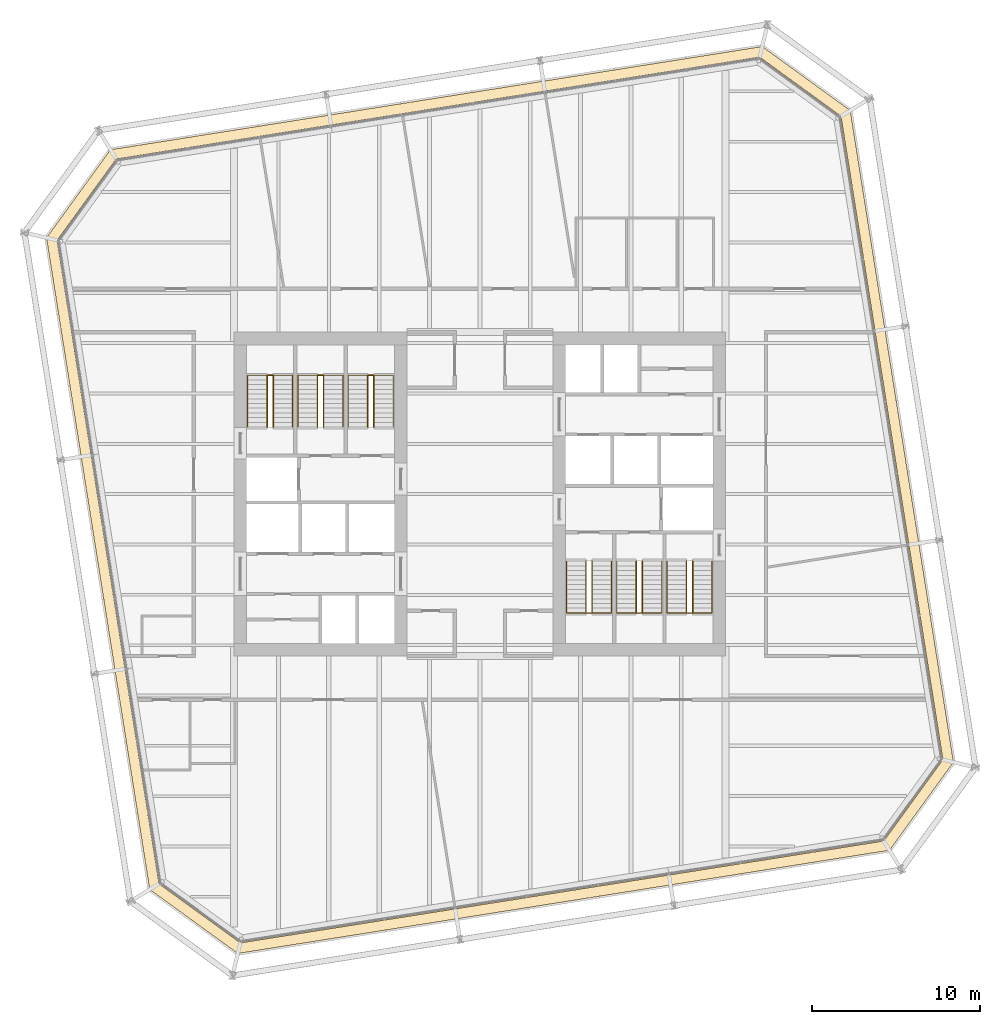
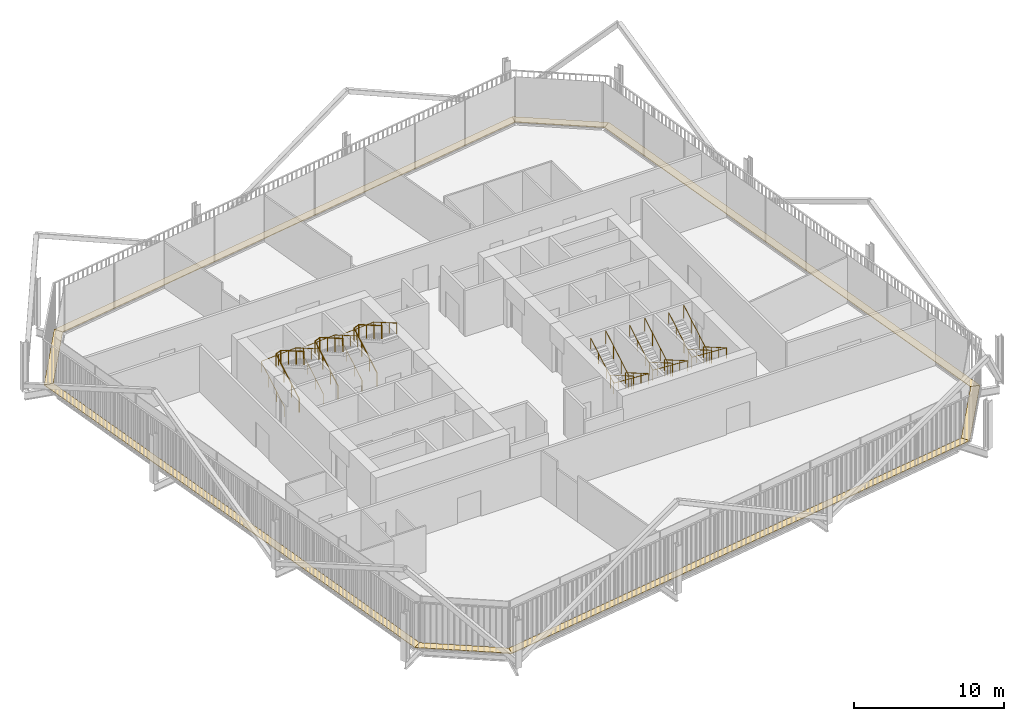
# One storey, part 22 of 22: 12 railings, 8 coverings.
"""IFC4 building model written with IfcOpenShell, lengths in metres."""

from ifc_helpers import new_model, si_unit, direction, frame, origin, origin_2d, place, context, subcontext, project, spatial, polyline, circle, outline, extrude, material, layer, layer_set, type_object, element, save


model = new_model("IFC4")

# Units and contexts
model_context = context("Model", 3, precision=1e-05, world=origin(), true_north=direction((0.0, 1.0)))
body_context = subcontext(model_context, "Body", "Model", "MODEL_VIEW")
ifc_project = project(units=[si_unit("LENGTHUNIT", "METRE"), si_unit("AREAUNIT", "SQUARE_METRE"), si_unit("VOLUMEUNIT", "CUBIC_METRE"), si_unit("PLANEANGLEUNIT", "RADIAN"), si_unit("MASSUNIT", "GRAM", prefix="KILO")], contexts=[model_context])

# Site, building, storey
site_placement = place(None, origin())
site = spatial("IfcSite", under=ifc_project, at=site_placement, CompositionType="ELEMENT")
building_placement = place(site_placement, origin())
building = spatial("IfcBuilding", under=site, at=building_placement, Name="Millrace Tower", CompositionType="ELEMENT")
storey_placement = place(building_placement, frame((0.0, 0.0, 152.89990234375)))
storey = spatial("IfcBuildingStorey", under=building, at=storey_placement, Name="L34", CompositionType="ELEMENT", Elevation=152.89990234375)

# Coverings
ifc_material_1 = material(Name="Steel ASTM A36", Category="steel")
ifc_layer = layer(ifc_material_1, 0.050048828125)
ifc_layer_set = layer_set([ifc_layer], Name="Steel ASTM A36")
covering_type = type_object("IfcCoveringType", Name="CAVITY CATWALK steel grating", PredefinedType="FLOORING", material=ifc_layer_set)
placement = place(storey_placement, frame((0.0, 0.0, 0.10009765625)))
element("IfcCovering", 1, at=placement, inside=storey, type_object=covering_type, Name="Cavity catwalk grating C-F01 L34 1", PredefinedType="FLOORING", context=body_context, shape_type="SweptSolid", body=[
    extrude(outline(polyline([(-19.67578125, -23.562255859375), (-14.425048828125, -27.376953125), (-14.2734375, -26.74560546875), (-19.1220703125, -23.222900390625), (-19.67578125, -23.562255859375)])), origin(), (0.0, 0.0, 1.0), 0.050048828125),
])
element("IfcCovering", 2, at=placement, inside=storey, type_object=covering_type, Name="Cavity catwalk grating C-F02 L34 1", PredefinedType="FLOORING", context=body_context, shape_type="SweptSolid", body=[
    extrude(outline(polyline([(-14.425048828125, -27.376953125), (24.412109375, -21.225830078125), (24.07275390625, -20.672119140625), (-14.2734375, -26.74560546875), (-14.425048828125, -27.376953125)])), origin(), (0.0, 0.0, 1.0), 0.050048828125),
])
element("IfcCovering", 3, at=placement, inside=storey, type_object=covering_type, Name="Cavity catwalk grating C-F03 L34 1", PredefinedType="FLOORING", context=body_context, shape_type="SweptSolid", body=[
    extrude(outline(polyline([(24.412109375, -21.225830078125), (28.22705078125, -15.97509765625), (27.595458984375, -15.823486328125), (24.07275390625, -20.672119140625), (24.412109375, -21.225830078125)])), origin(), (0.0, 0.0, 1.0), 0.050048828125),
])
element("IfcCovering", 4, at=placement, inside=storey, type_object=covering_type, Name="Cavity catwalk grating C-F04 L34 1", PredefinedType="FLOORING", context=body_context, shape_type="SweptSolid", body=[
    extrude(outline(polyline([(28.22705078125, -15.97509765625), (22.075927734375, 22.862060546875), (21.522216796875, 22.522705078125), (27.595458984375, -15.823486328125), (28.22705078125, -15.97509765625)])), origin(), (0.0, 0.0, 1.0), 0.050048828125),
])
element("IfcCovering", 5, at=placement, inside=storey, type_object=covering_type, Name="Cavity catwalk grating C-F05 L34 1", PredefinedType="FLOORING", context=body_context, shape_type="SweptSolid", body=[
    extrude(outline(polyline([(22.075927734375, 22.862060546875), (16.824951171875, 26.677001953125), (16.67333984375, 26.045654296875), (21.522216796875, 22.522705078125), (22.075927734375, 22.862060546875)])), origin(), (0.0, 0.0, 1.0), 0.050048828125),
])
element("IfcCovering", 6, at=placement, inside=storey, type_object=covering_type, Name="Cavity catwalk grating C-F06 L34 1", PredefinedType="FLOORING", context=body_context, shape_type="SweptSolid", body=[
    extrude(outline(polyline([(16.824951171875, 26.677001953125), (-22.01220703125, 20.52587890625), (-21.6728515625, 19.97216796875), (16.67333984375, 26.045654296875), (16.824951171875, 26.677001953125)])), origin(), (0.0, 0.0, 1.0), 0.050048828125),
])
element("IfcCovering", 7, at=placement, inside=storey, type_object=covering_type, Name="Cavity catwalk grating C-F07 L34 1", PredefinedType="FLOORING", context=body_context, shape_type="SweptSolid", body=[
    extrude(outline(polyline([(-22.01220703125, 20.52587890625), (-25.8271484375, 15.275146484375), (-25.195556640625, 15.12353515625), (-21.6728515625, 19.97216796875), (-22.01220703125, 20.52587890625)])), origin(), (0.0, 0.0, 1.0), 0.050048828125),
])
element("IfcCovering", 8, at=placement, inside=storey, type_object=covering_type, Name="Cavity catwalk grating C-F08 L34 1", PredefinedType="FLOORING", context=body_context, shape_type="SweptSolid", body=[
    extrude(outline(polyline([(-25.8271484375, 15.275146484375), (-19.67578125, -23.562255859375), (-19.1220703125, -23.222900390625), (-25.195556640625, 15.12353515625), (-25.8271484375, 15.275146484375)])), origin(), (0.0, 0.0, 1.0), 0.050048828125),
])

# Railings
ifc_material_2 = material(Name="Stainless steel ASTM A240 type 316", Category="steel")
railing_type_1 = type_object("IfcRailingType", Name="Stair guard 1100", PredefinedType="GUARDRAIL", material=ifc_material_2)
for number, where, name in (
    (9, (-12.679931640625, 4.0, 0.16259765625), "Stair guard 1 W L34"),
    (10, (-9.679931640625, 4.0, 0.16259765625), "Stair guard 2 W L34"),
    (11, (-6.679931640625, 4.0, 0.16259765625), "Stair guard 3 W L34"),
):
    element("IfcRailing", number, at=place(storey_placement, frame(where)), inside=storey, type_object=railing_type_1, Name=name, PredefinedType="GUARDRAIL", context=body_context, shape_type="SweptSolid", body=[
        extrude(circle(Radius=0.02392578125, at=origin_2d()), frame((0.0, 0.0, 1.076171875), z_axis=(0.0, 0.864890721111, 0.501960198159), x_axis=(-1.0, 0.0, 0.0)), (0.0, 0.0, 1.0), 3.561279296875),
        extrude(circle(Radius=0.02392578125, at=origin_2d()), frame((0.0, 3.080078125, 2.86376953125), z_axis=(0.91152767309, 0.0, 0.411238739895), x_axis=(0.0, 1.0, 0.0)), (0.0, 0.0, 1.0), 0.394775390625),
        extrude(circle(Radius=0.02392578125, at=origin_2d()), frame((0.35986328125, 3.080078125, 3.02587890625), z_axis=(0.0, -0.864890721111, 0.501960198159), x_axis=(1.0, 0.0, 0.0)), (0.0, 0.0, 1.0), 3.561279296875),
        extrude(circle(Radius=0.02099609375, at=origin_2d()), origin(), (0.0, 0.0, 1.0), 1.052001953125),
        extrude(circle(Radius=0.02099609375, at=origin_2d()), frame((0.0, 1.026611328125, 0.595947265625)), (0.0, 0.0, 1.0), 1.052001953125),
        extrude(circle(Radius=0.02099609375, at=origin_2d()), frame((0.0, 2.053466796875, 1.191650390625)), (0.0, 0.0, 1.0), 1.052001953125),
        extrude(circle(Radius=0.02099609375, at=origin_2d()), frame((0.0, 3.080078125, 1.78759765625)), (0.0, 0.0, 1.0), 1.052001953125),
        extrude(circle(Radius=0.02099609375, at=origin_2d()), frame((0.35986328125, 3.080078125, 1.949951171875)), (0.0, 0.0, 1.0), 1.052001953125),
        extrude(circle(Radius=0.02099609375, at=origin_2d()), frame((0.35986328125, 2.053466796875, 2.5458984375)), (0.0, 0.0, 1.0), 1.052001953125),
        extrude(circle(Radius=0.02099609375, at=origin_2d()), frame((0.35986328125, 1.026611328125, 3.1416015625)), (0.0, 0.0, 1.0), 1.052001953125),
        extrude(circle(Radius=0.02099609375, at=origin_2d()), frame((0.35986328125, 0.0, 3.737548828125)), (0.0, 0.0, 1.0), 1.052001953125),
    ])
for number, where, name in (
    (12, (12.679931640625, -4.0, 0.16259765625), "Stair guard 1 E L34"),
    (13, (9.679931640625, -4.0, 0.16259765625), "Stair guard 2 E L34"),
    (14, (6.679931640625, -4.0, 0.16259765625), "Stair guard 3 E L34"),
):
    element("IfcRailing", number, at=place(storey_placement, frame(where)), inside=storey, type_object=railing_type_1, Name=name, PredefinedType="GUARDRAIL", context=body_context, shape_type="SweptSolid", body=[
        extrude(circle(Radius=0.02392578125, at=origin_2d()), frame((0.0, 0.0, 1.076171875), z_axis=(0.0, -0.864890721111, 0.501960198159), x_axis=(1.0, 0.0, 0.0)), (0.0, 0.0, 1.0), 3.561279296875),
        extrude(circle(Radius=0.02392578125, at=origin_2d()), frame((0.0, -3.080078125, 2.86376953125), z_axis=(-0.91152767309, 0.0, 0.411238739895), x_axis=(0.0, -1.0, 0.0)), (0.0, 0.0, 1.0), 0.394775390625),
        extrude(circle(Radius=0.02392578125, at=origin_2d()), frame((-0.35986328125, -3.080078125, 3.02587890625), z_axis=(0.0, 0.864890721111, 0.501960198159), x_axis=(-1.0, 0.0, 0.0)), (0.0, 0.0, 1.0), 3.561279296875),
        extrude(circle(Radius=0.02099609375, at=origin_2d()), origin(), (0.0, 0.0, 1.0), 1.052001953125),
        extrude(circle(Radius=0.02099609375, at=origin_2d()), frame((0.0, -1.026611328125, 0.595947265625)), (0.0, 0.0, 1.0), 1.052001953125),
        extrude(circle(Radius=0.02099609375, at=origin_2d()), frame((0.0, -2.053466796875, 1.191650390625)), (0.0, 0.0, 1.0), 1.052001953125),
        extrude(circle(Radius=0.02099609375, at=origin_2d()), frame((0.0, -3.080078125, 1.78759765625)), (0.0, 0.0, 1.0), 1.052001953125),
        extrude(circle(Radius=0.02099609375, at=origin_2d()), frame((-0.35986328125, -3.080078125, 1.949951171875)), (0.0, 0.0, 1.0), 1.052001953125),
        extrude(circle(Radius=0.02099609375, at=origin_2d()), frame((-0.35986328125, -2.053466796875, 2.5458984375)), (0.0, 0.0, 1.0), 1.052001953125),
        extrude(circle(Radius=0.02099609375, at=origin_2d()), frame((-0.35986328125, -1.026611328125, 3.1416015625)), (0.0, 0.0, 1.0), 1.052001953125),
        extrude(circle(Radius=0.02099609375, at=origin_2d()), frame((-0.35986328125, 0.0, 3.737548828125)), (0.0, 0.0, 1.0), 1.052001953125),
    ])
ifc_material_3 = material(Name="Stainless steel ASTM A240 type 316", Category="steel")
railing_type_2 = type_object("IfcRailingType", Name="Stair handrail 900", PredefinedType="HANDRAIL", material=ifc_material_3)
railing_1_placement = place(storey_placement, frame((-13.840087890625, 4.0, 0.16259765625)))
element("IfcRailing", 15, at=railing_1_placement, inside=storey, type_object=railing_type_2, Name="Stair handrail 1 W L34", PredefinedType="HANDRAIL", context=body_context, shape_type="SweptSolid", body=[
    extrude(circle(Radius=0.02392578125, at=origin_2d()), frame((0.0, 0.0, 0.8759765625), z_axis=(0.0, 0.864890721111, 0.501960198159), x_axis=(-1.0, 0.0, 0.0)), (0.0, 0.0, 1.0), 3.561279296875),
    extrude(circle(Radius=0.02392578125, at=origin_2d()), frame((0.0, 3.080078125, 2.66357421875), z_axis=(0.998170326313, 0.0, 0.06046486309), x_axis=(0.0, 1.0, 0.0)), (0.0, 0.0, 1.0), 2.68505859375),
    extrude(circle(Radius=0.02392578125, at=origin_2d()), frame((2.68017578125, 3.080078125, 2.82568359375), z_axis=(0.0, -0.864890721111, 0.501960198159), x_axis=(1.0, 0.0, 0.0)), (0.0, 0.0, 1.0), 3.561279296875),
    extrude(circle(Radius=0.02099609375, at=origin_2d()), origin(), (0.0, 0.0, 1.0), 0.851806640625),
    extrude(circle(Radius=0.02099609375, at=origin_2d()), frame((0.0, 1.026611328125, 0.595947265625)), (0.0, 0.0, 1.0), 0.851806640625),
    extrude(circle(Radius=0.02099609375, at=origin_2d()), frame((0.0, 2.053466796875, 1.191650390625)), (0.0, 0.0, 1.0), 0.851806640625),
    extrude(circle(Radius=0.02099609375, at=origin_2d()), frame((0.0, 3.080078125, 1.78759765625)), (0.0, 0.0, 1.0), 0.851806640625),
    extrude(circle(Radius=0.02099609375, at=origin_2d()), frame((1.340087890625, 3.080078125, 1.86865234375)), (0.0, 0.0, 1.0), 0.851806640625),
    extrude(circle(Radius=0.02099609375, at=origin_2d()), frame((2.68017578125, 3.080078125, 1.949951171875)), (0.0, 0.0, 1.0), 0.851806640625),
    extrude(circle(Radius=0.02099609375, at=origin_2d()), frame((2.68017578125, 2.053466796875, 2.5458984375)), (0.0, 0.0, 1.0), 0.851806640625),
    extrude(circle(Radius=0.02099609375, at=origin_2d()), frame((2.68017578125, 1.026611328125, 3.1416015625)), (0.0, 0.0, 1.0), 0.851806640625),
    extrude(circle(Radius=0.02099609375, at=origin_2d()), frame((2.68017578125, 0.0, 3.737548828125)), (0.0, 0.0, 1.0), 0.851806640625),
])
railing_2_placement = place(storey_placement, frame((-10.840087890625, 4.0, 0.16259765625)))
element("IfcRailing", 16, at=railing_2_placement, inside=storey, type_object=railing_type_2, Name="Stair handrail 2 W L34", PredefinedType="HANDRAIL", context=body_context, shape_type="SweptSolid", body=[
    extrude(circle(Radius=0.02392578125, at=origin_2d()), frame((0.0, 0.0, 0.8759765625), z_axis=(0.0, 0.864890721111, 0.501960198159), x_axis=(-1.0, 0.0, 0.0)), (0.0, 0.0, 1.0), 3.561279296875),
    extrude(circle(Radius=0.02392578125, at=origin_2d()), frame((0.0, 3.080078125, 2.66357421875), z_axis=(0.998170326313, 0.0, 0.06046486309), x_axis=(0.0, 1.0, 0.0)), (0.0, 0.0, 1.0), 2.68505859375),
    extrude(circle(Radius=0.02392578125, at=origin_2d()), frame((2.68017578125, 3.080078125, 2.82568359375), z_axis=(0.0, -0.864890721111, 0.501960198159), x_axis=(1.0, 0.0, 0.0)), (0.0, 0.0, 1.0), 3.561279296875),
    extrude(circle(Radius=0.02099609375, at=origin_2d()), origin(), (0.0, 0.0, 1.0), 0.851806640625),
    extrude(circle(Radius=0.02099609375, at=origin_2d()), frame((0.0, 1.026611328125, 0.595947265625)), (0.0, 0.0, 1.0), 0.851806640625),
    extrude(circle(Radius=0.02099609375, at=origin_2d()), frame((0.0, 2.053466796875, 1.191650390625)), (0.0, 0.0, 1.0), 0.851806640625),
    extrude(circle(Radius=0.02099609375, at=origin_2d()), frame((0.0, 3.080078125, 1.78759765625)), (0.0, 0.0, 1.0), 0.851806640625),
    extrude(circle(Radius=0.02099609375, at=origin_2d()), frame((1.340087890625, 3.080078125, 1.86865234375)), (0.0, 0.0, 1.0), 0.851806640625),
    extrude(circle(Radius=0.02099609375, at=origin_2d()), frame((2.68017578125, 3.080078125, 1.949951171875)), (0.0, 0.0, 1.0), 0.851806640625),
    extrude(circle(Radius=0.02099609375, at=origin_2d()), frame((2.68017578125, 2.053466796875, 2.5458984375)), (0.0, 0.0, 1.0), 0.851806640625),
    extrude(circle(Radius=0.02099609375, at=origin_2d()), frame((2.68017578125, 1.026611328125, 3.1416015625)), (0.0, 0.0, 1.0), 0.851806640625),
    extrude(circle(Radius=0.02099609375, at=origin_2d()), frame((2.68017578125, 0.0, 3.737548828125)), (0.0, 0.0, 1.0), 0.851806640625),
])
railing_3_placement = place(storey_placement, frame((-7.840087890625, 4.0, 0.16259765625)))
element("IfcRailing", 17, at=railing_3_placement, inside=storey, type_object=railing_type_2, Name="Stair handrail 3 W L34", PredefinedType="HANDRAIL", context=body_context, shape_type="SweptSolid", body=[
    extrude(circle(Radius=0.02392578125, at=origin_2d()), frame((0.0, 0.0, 0.8759765625), z_axis=(0.0, 0.864890721111, 0.501960198159), x_axis=(-1.0, 0.0, 0.0)), (0.0, 0.0, 1.0), 3.561279296875),
    extrude(circle(Radius=0.02392578125, at=origin_2d()), frame((0.0, 3.080078125, 2.66357421875), z_axis=(0.998170326313, 0.0, 0.06046486309), x_axis=(0.0, 1.0, 0.0)), (0.0, 0.0, 1.0), 2.68505859375),
    extrude(circle(Radius=0.02392578125, at=origin_2d()), frame((2.68017578125, 3.080078125, 2.82568359375), z_axis=(0.0, -0.864890721111, 0.501960198159), x_axis=(1.0, 0.0, 0.0)), (0.0, 0.0, 1.0), 3.561279296875),
    extrude(circle(Radius=0.02099609375, at=origin_2d()), origin(), (0.0, 0.0, 1.0), 0.851806640625),
    extrude(circle(Radius=0.02099609375, at=origin_2d()), frame((0.0, 1.026611328125, 0.595947265625)), (0.0, 0.0, 1.0), 0.851806640625),
    extrude(circle(Radius=0.02099609375, at=origin_2d()), frame((0.0, 2.053466796875, 1.191650390625)), (0.0, 0.0, 1.0), 0.851806640625),
    extrude(circle(Radius=0.02099609375, at=origin_2d()), frame((0.0, 3.080078125, 1.78759765625)), (0.0, 0.0, 1.0), 0.851806640625),
    extrude(circle(Radius=0.02099609375, at=origin_2d()), frame((1.340087890625, 3.080078125, 1.86865234375)), (0.0, 0.0, 1.0), 0.851806640625),
    extrude(circle(Radius=0.02099609375, at=origin_2d()), frame((2.68017578125, 3.080078125, 1.949951171875)), (0.0, 0.0, 1.0), 0.851806640625),
    extrude(circle(Radius=0.02099609375, at=origin_2d()), frame((2.68017578125, 2.053466796875, 2.5458984375)), (0.0, 0.0, 1.0), 0.851806640625),
    extrude(circle(Radius=0.02099609375, at=origin_2d()), frame((2.68017578125, 1.026611328125, 3.1416015625)), (0.0, 0.0, 1.0), 0.851806640625),
    extrude(circle(Radius=0.02099609375, at=origin_2d()), frame((2.68017578125, 0.0, 3.737548828125)), (0.0, 0.0, 1.0), 0.851806640625),
])
railing_4_placement = place(storey_placement, frame((13.840087890625, -4.0, 0.16259765625)))
element("IfcRailing", 18, at=railing_4_placement, inside=storey, type_object=railing_type_2, Name="Stair handrail 1 E L34", PredefinedType="HANDRAIL", context=body_context, shape_type="SweptSolid", body=[
    extrude(circle(Radius=0.02392578125, at=origin_2d()), frame((0.0, 0.0, 0.8759765625), z_axis=(0.0, -0.864890721111, 0.501960198159), x_axis=(1.0, 0.0, 0.0)), (0.0, 0.0, 1.0), 3.561279296875),
    extrude(circle(Radius=0.02392578125, at=origin_2d()), frame((0.0, -3.080078125, 2.66357421875), z_axis=(-0.998170326313, 0.0, 0.06046486309), x_axis=(0.0, -1.0, 0.0)), (0.0, 0.0, 1.0), 2.68505859375),
    extrude(circle(Radius=0.02392578125, at=origin_2d()), frame((-2.68017578125, -3.080078125, 2.82568359375), z_axis=(0.0, 0.864890721111, 0.501960198159), x_axis=(-1.0, 0.0, 0.0)), (0.0, 0.0, 1.0), 3.561279296875),
    extrude(circle(Radius=0.02099609375, at=origin_2d()), origin(), (0.0, 0.0, 1.0), 0.851806640625),
    extrude(circle(Radius=0.02099609375, at=origin_2d()), frame((0.0, -1.026611328125, 0.595947265625)), (0.0, 0.0, 1.0), 0.851806640625),
    extrude(circle(Radius=0.02099609375, at=origin_2d()), frame((0.0, -2.053466796875, 1.191650390625)), (0.0, 0.0, 1.0), 0.851806640625),
    extrude(circle(Radius=0.02099609375, at=origin_2d()), frame((0.0, -3.080078125, 1.78759765625)), (0.0, 0.0, 1.0), 0.851806640625),
    extrude(circle(Radius=0.02099609375, at=origin_2d()), frame((-1.340087890625, -3.080078125, 1.86865234375)), (0.0, 0.0, 1.0), 0.851806640625),
    extrude(circle(Radius=0.02099609375, at=origin_2d()), frame((-2.68017578125, -3.080078125, 1.949951171875)), (0.0, 0.0, 1.0), 0.851806640625),
    extrude(circle(Radius=0.02099609375, at=origin_2d()), frame((-2.68017578125, -2.053466796875, 2.5458984375)), (0.0, 0.0, 1.0), 0.851806640625),
    extrude(circle(Radius=0.02099609375, at=origin_2d()), frame((-2.68017578125, -1.026611328125, 3.1416015625)), (0.0, 0.0, 1.0), 0.851806640625),
    extrude(circle(Radius=0.02099609375, at=origin_2d()), frame((-2.68017578125, 0.0, 3.737548828125)), (0.0, 0.0, 1.0), 0.851806640625),
])
railing_5_placement = place(storey_placement, frame((10.840087890625, -4.0, 0.16259765625)))
element("IfcRailing", 19, at=railing_5_placement, inside=storey, type_object=railing_type_2, Name="Stair handrail 2 E L34", PredefinedType="HANDRAIL", context=body_context, shape_type="SweptSolid", body=[
    extrude(circle(Radius=0.02392578125, at=origin_2d()), frame((0.0, 0.0, 0.8759765625), z_axis=(0.0, -0.864890721111, 0.501960198159), x_axis=(1.0, 0.0, 0.0)), (0.0, 0.0, 1.0), 3.561279296875),
    extrude(circle(Radius=0.02392578125, at=origin_2d()), frame((0.0, -3.080078125, 2.66357421875), z_axis=(-0.998170326313, 0.0, 0.06046486309), x_axis=(0.0, -1.0, 0.0)), (0.0, 0.0, 1.0), 2.68505859375),
    extrude(circle(Radius=0.02392578125, at=origin_2d()), frame((-2.68017578125, -3.080078125, 2.82568359375), z_axis=(0.0, 0.864890721111, 0.501960198159), x_axis=(-1.0, 0.0, 0.0)), (0.0, 0.0, 1.0), 3.561279296875),
    extrude(circle(Radius=0.02099609375, at=origin_2d()), origin(), (0.0, 0.0, 1.0), 0.851806640625),
    extrude(circle(Radius=0.02099609375, at=origin_2d()), frame((0.0, -1.026611328125, 0.595947265625)), (0.0, 0.0, 1.0), 0.851806640625),
    extrude(circle(Radius=0.02099609375, at=origin_2d()), frame((0.0, -2.053466796875, 1.191650390625)), (0.0, 0.0, 1.0), 0.851806640625),
    extrude(circle(Radius=0.02099609375, at=origin_2d()), frame((0.0, -3.080078125, 1.78759765625)), (0.0, 0.0, 1.0), 0.851806640625),
    extrude(circle(Radius=0.02099609375, at=origin_2d()), frame((-1.340087890625, -3.080078125, 1.86865234375)), (0.0, 0.0, 1.0), 0.851806640625),
    extrude(circle(Radius=0.02099609375, at=origin_2d()), frame((-2.68017578125, -3.080078125, 1.949951171875)), (0.0, 0.0, 1.0), 0.851806640625),
    extrude(circle(Radius=0.02099609375, at=origin_2d()), frame((-2.68017578125, -2.053466796875, 2.5458984375)), (0.0, 0.0, 1.0), 0.851806640625),
    extrude(circle(Radius=0.02099609375, at=origin_2d()), frame((-2.68017578125, -1.026611328125, 3.1416015625)), (0.0, 0.0, 1.0), 0.851806640625),
    extrude(circle(Radius=0.02099609375, at=origin_2d()), frame((-2.68017578125, 0.0, 3.737548828125)), (0.0, 0.0, 1.0), 0.851806640625),
])
railing_6_placement = place(storey_placement, frame((7.840087890625, -4.0, 0.16259765625)))
element("IfcRailing", 20, at=railing_6_placement, inside=storey, type_object=railing_type_2, Name="Stair handrail 3 E L34", PredefinedType="HANDRAIL", context=body_context, shape_type="SweptSolid", body=[
    extrude(circle(Radius=0.02392578125, at=origin_2d()), frame((0.0, 0.0, 0.8759765625), z_axis=(0.0, -0.864890721111, 0.501960198159), x_axis=(1.0, 0.0, 0.0)), (0.0, 0.0, 1.0), 3.561279296875),
    extrude(circle(Radius=0.02392578125, at=origin_2d()), frame((0.0, -3.080078125, 2.66357421875), z_axis=(-0.998170326313, 0.0, 0.06046486309), x_axis=(0.0, -1.0, 0.0)), (0.0, 0.0, 1.0), 2.68505859375),
    extrude(circle(Radius=0.02392578125, at=origin_2d()), frame((-2.68017578125, -3.080078125, 2.82568359375), z_axis=(0.0, 0.864890721111, 0.501960198159), x_axis=(-1.0, 0.0, 0.0)), (0.0, 0.0, 1.0), 3.561279296875),
    extrude(circle(Radius=0.02099609375, at=origin_2d()), origin(), (0.0, 0.0, 1.0), 0.851806640625),
    extrude(circle(Radius=0.02099609375, at=origin_2d()), frame((0.0, -1.026611328125, 0.595947265625)), (0.0, 0.0, 1.0), 0.851806640625),
    extrude(circle(Radius=0.02099609375, at=origin_2d()), frame((0.0, -2.053466796875, 1.191650390625)), (0.0, 0.0, 1.0), 0.851806640625),
    extrude(circle(Radius=0.02099609375, at=origin_2d()), frame((0.0, -3.080078125, 1.78759765625)), (0.0, 0.0, 1.0), 0.851806640625),
    extrude(circle(Radius=0.02099609375, at=origin_2d()), frame((-1.340087890625, -3.080078125, 1.86865234375)), (0.0, 0.0, 1.0), 0.851806640625),
    extrude(circle(Radius=0.02099609375, at=origin_2d()), frame((-2.68017578125, -3.080078125, 1.949951171875)), (0.0, 0.0, 1.0), 0.851806640625),
    extrude(circle(Radius=0.02099609375, at=origin_2d()), frame((-2.68017578125, -2.053466796875, 2.5458984375)), (0.0, 0.0, 1.0), 0.851806640625),
    extrude(circle(Radius=0.02099609375, at=origin_2d()), frame((-2.68017578125, -1.026611328125, 3.1416015625)), (0.0, 0.0, 1.0), 0.851806640625),
    extrude(circle(Radius=0.02099609375, at=origin_2d()), frame((-2.68017578125, 0.0, 3.737548828125)), (0.0, 0.0, 1.0), 0.851806640625),
])

save(model, "model.ifc")
